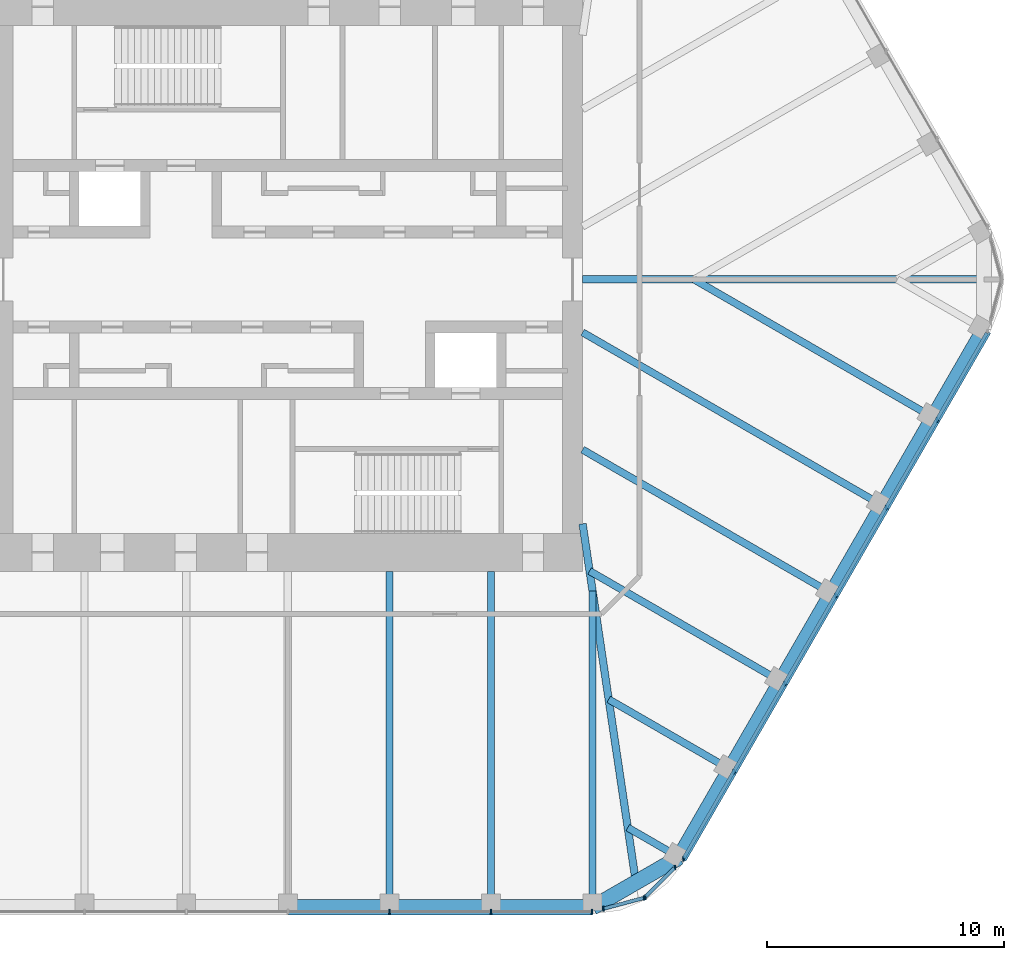
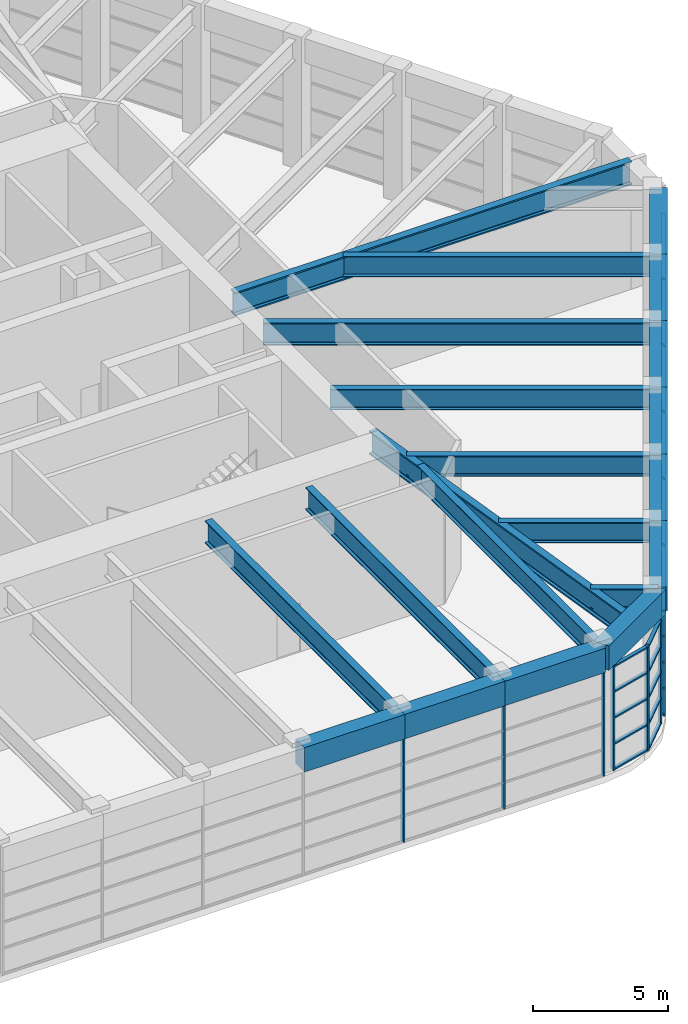
# One storey, part 5 of 16: 28 members, 21 beams, 4 elements without a shape of their own.
"""IFC4 building model written with IfcOpenShell, lengths in metres."""

from ifc_helpers import new_model, si_unit, direction, frame, origin, origin_2d, place, context, subcontext, project, spatial, rectangle, i_section, extrude, material, material_profile, profile_set, type_object, element, aggregate, save


model = new_model("IFC4")

# Units and contexts
model_context = context("Model", 3, precision=1e-05, world=origin(), true_north=direction((0.0, 1.0)))
body_context = subcontext(model_context, "Body", "Model", "MODEL_VIEW")
ifc_project = project(units=[si_unit("LENGTHUNIT", "METRE"), si_unit("AREAUNIT", "SQUARE_METRE"), si_unit("VOLUMEUNIT", "CUBIC_METRE"), si_unit("PLANEANGLEUNIT", "RADIAN"), si_unit("MASSUNIT", "GRAM", prefix="KILO")], contexts=[model_context])

# Site, building, storey
site_placement = place(None, origin())
site = spatial("IfcSite", under=ifc_project, at=site_placement, CompositionType="ELEMENT")
building_placement = place(site_placement, origin())
building = spatial("IfcBuilding", under=site, at=building_placement, Name="Tarfa Lantern Tower", CompositionType="ELEMENT")
storey_placement = place(building_placement, frame((0.0, 0.0, 396.300048828125)))
storey = spatial("IfcBuildingStorey", under=building, at=storey_placement, Name="L90", CompositionType="ELEMENT", Elevation=396.300048828125)

# Curtain wall, members
ifc_material_1 = material(Name="Aluminium framed curtain wall", Category="aluminium")
curtain_wall_type = type_object("IfcCurtainWallType", Name="CW8 LANTERN GLAZING 4700", PredefinedType="USERDEFINED", material=ifc_material_1)
curtain_wall_1_placement = place(storey_placement, origin())
curtain_wall_1 = element("IfcCurtainWall", 1, at=curtain_wall_1_placement, inside=storey, type_object=curtain_wall_type, Name="CW8 SSE1 L90", ObjectType="CURTAIN WALL", PredefinedType="USERDEFINED")
ifc_material_2 = material(Name="Aluminium mullion", Category="aluminium")
ifc_material_profile_1 = material_profile(ifc_material_2, rectangle(XDim=0.06494140625, YDim=0.199951171875, at=origin_2d()), Name="AL MULLION 65x200")
ifc_profile_set_1 = profile_set([ifc_material_profile_1], Name="Aluminium mullion")
member_type_1 = type_object("IfcMemberType", Name="CWM1 MULLION 65x200", PredefinedType="MULLION", material=ifc_profile_set_1)
member_1_placement = place(storey_placement, frame((13.30322265625, -26.527587890625, 0.0), z_axis=(0.0, 0.0, 1.0), x_axis=(1.0, 0.0, 0.0)))
member_1 = element("IfcMember", 2, at=member_1_placement, type_object=member_type_1, Name="CW8 mullion 1", PredefinedType="MULLION", context=body_context, shape_type="SweptSolid", body=[
    extrude(rectangle(XDim=0.06494140625, YDim=0.199951171875, at=origin_2d()), origin(), (0.0, 0.0, 1.0), 4.699951171875),
])
member_2_placement = place(storey_placement, frame((15.0146484375, -26.06884765625, 0.0), z_axis=(0.0, 0.0, 1.0), x_axis=(1.0, 0.0, 0.0)))
member_2 = element("IfcMember", 3, at=member_2_placement, type_object=member_type_1, Name="CW8 mullion 2", PredefinedType="MULLION", context=body_context, shape_type="SweptSolid", body=[
    extrude(rectangle(XDim=0.06494140625, YDim=0.199951171875, at=origin_2d()), origin(), (0.0, 0.0, 1.0), 4.699951171875),
])

curtain_wall_2_placement = place(storey_placement, origin())
curtain_wall_2 = element("IfcCurtainWall", 4, at=curtain_wall_2_placement, inside=storey, type_object=curtain_wall_type, Name="CW8 SSE2 L90", ObjectType="CURTAIN WALL", PredefinedType="USERDEFINED")
member_3_placement = place(storey_placement, frame((15.069091796875, -26.03759765625, 0.0), z_axis=(0.0, 0.0, 1.0), x_axis=(1.0, 0.0, 0.0)))
member_3 = element("IfcMember", 5, at=member_3_placement, type_object=member_type_1, Name="CW8 mullion 1", PredefinedType="MULLION", context=body_context, shape_type="SweptSolid", body=[
    extrude(rectangle(XDim=0.06494140625, YDim=0.199951171875, at=origin_2d()), origin(), (0.0, 0.0, 1.0), 4.699951171875),
])
member_4_placement = place(storey_placement, frame((16.32177734375, -24.78466796875, 0.0), z_axis=(0.0, 0.0, 1.0), x_axis=(1.0, 0.0, 0.0)))
member_4 = element("IfcMember", 6, at=member_4_placement, type_object=member_type_1, Name="CW8 mullion 2", PredefinedType="MULLION", context=body_context, shape_type="SweptSolid", body=[
    extrude(rectangle(XDim=0.06494140625, YDim=0.199951171875, at=origin_2d()), origin(), (0.0, 0.0, 1.0), 4.699951171875),
])

curtain_wall_3_placement = place(storey_placement, origin())
curtain_wall_3 = element("IfcCurtainWall", 7, at=curtain_wall_3_placement, inside=storey, type_object=curtain_wall_type, Name="CW8 S L90", ObjectType="CURTAIN WALL", PredefinedType="USERDEFINED")
member_5_placement = place(storey_placement, frame((4.281982421875, -26.64990234375, 0.0), z_axis=(0.0, 0.0, 1.0), x_axis=(1.0, 0.0, 0.0)))
member_5 = element("IfcMember", 8, at=member_5_placement, type_object=member_type_1, Name="CW8 mullion 5", PredefinedType="MULLION", context=body_context, shape_type="SweptSolid", body=[
    extrude(rectangle(XDim=0.06494140625, YDim=0.199951171875, at=origin_2d()), origin(), (0.0, 0.0, 1.0), 4.699951171875),
])
member_6_placement = place(storey_placement, frame((8.56396484375, -26.64990234375, 0.0), z_axis=(0.0, 0.0, 1.0), x_axis=(1.0, 0.0, 0.0)))
member_6 = element("IfcMember", 9, at=member_6_placement, type_object=member_type_1, Name="CW8 mullion 6", PredefinedType="MULLION", context=body_context, shape_type="SweptSolid", body=[
    extrude(rectangle(XDim=0.06494140625, YDim=0.199951171875, at=origin_2d()), origin(), (0.0, 0.0, 1.0), 4.699951171875),
])
member_7_placement = place(storey_placement, frame((12.8134765625, -26.64990234375, 0.0), z_axis=(0.0, 0.0, 1.0), x_axis=(1.0, 0.0, 0.0)))
member_7 = element("IfcMember", 10, at=member_7_placement, type_object=member_type_1, Name="CW8 mullion 7", PredefinedType="MULLION", context=body_context, shape_type="SweptSolid", body=[
    extrude(rectangle(XDim=0.06494140625, YDim=0.199951171875, at=origin_2d()), origin(), (0.0, 0.0, 1.0), 4.699951171875),
])
aggregate(curtain_wall_3, [member_5, member_6, member_7])

curtain_wall_4_placement = place(storey_placement, origin())
curtain_wall_4 = element("IfcCurtainWall", 11, at=curtain_wall_4_placement, inside=storey, type_object=curtain_wall_type, Name="CW8 SE L90", ObjectType="CURTAIN WALL", PredefinedType="USERDEFINED")
member_8_placement = place(storey_placement, frame((16.6728515625, -24.421875, 0.0), z_axis=(0.0, 0.0, 1.0), x_axis=(1.0, 0.0, 0.0)))
member_8 = element("IfcMember", 12, at=member_8_placement, type_object=member_type_1, Name="CW8 mullion 1", PredefinedType="MULLION", context=body_context, shape_type="SweptSolid", body=[
    extrude(rectangle(XDim=0.06494140625, YDim=0.199951171875, at=origin_2d()), origin(), (0.0, 0.0, 1.0), 4.699951171875),
])
member_9_placement = place(storey_placement, frame((18.797607421875, -20.74169921875, 0.0), z_axis=(0.0, 0.0, 1.0), x_axis=(1.0, 0.0, 0.0)))
member_9 = element("IfcMember", 13, at=member_9_placement, type_object=member_type_1, Name="CW8 mullion 2", PredefinedType="MULLION", context=body_context, shape_type="SweptSolid", body=[
    extrude(rectangle(XDim=0.06494140625, YDim=0.199951171875, at=origin_2d()), origin(), (0.0, 0.0, 1.0), 4.699951171875),
])
member_10_placement = place(storey_placement, frame((20.9384765625, -17.033447265625, 0.0), z_axis=(0.0, 0.0, 1.0), x_axis=(1.0, 0.0, 0.0)))
member_10 = element("IfcMember", 14, at=member_10_placement, type_object=member_type_1, Name="CW8 mullion 3", PredefinedType="MULLION", context=body_context, shape_type="SweptSolid", body=[
    extrude(rectangle(XDim=0.06494140625, YDim=0.199951171875, at=origin_2d()), origin(), (0.0, 0.0, 1.0), 4.699951171875),
])
member_11_placement = place(storey_placement, frame((23.07958984375, -13.324951171875, 0.0), z_axis=(0.0, 0.0, 1.0), x_axis=(1.0, 0.0, 0.0)))
member_11 = element("IfcMember", 15, at=member_11_placement, type_object=member_type_1, Name="CW8 mullion 4", PredefinedType="MULLION", context=body_context, shape_type="SweptSolid", body=[
    extrude(rectangle(XDim=0.06494140625, YDim=0.199951171875, at=origin_2d()), origin(), (0.0, 0.0, 1.0), 4.699951171875),
])
member_12_placement = place(storey_placement, frame((25.220703125, -9.61669921875, 0.0), z_axis=(0.0, 0.0, 1.0), x_axis=(1.0, 0.0, 0.0)))
member_12 = element("IfcMember", 16, at=member_12_placement, type_object=member_type_1, Name="CW8 mullion 5", PredefinedType="MULLION", context=body_context, shape_type="SweptSolid", body=[
    extrude(rectangle(XDim=0.06494140625, YDim=0.199951171875, at=origin_2d()), origin(), (0.0, 0.0, 1.0), 4.699951171875),
])
member_13_placement = place(storey_placement, frame((27.361572265625, -5.908447265625, 0.0), z_axis=(0.0, 0.0, 1.0), x_axis=(1.0, 0.0, 0.0)))
member_13 = element("IfcMember", 17, at=member_13_placement, type_object=member_type_1, Name="CW8 mullion 6", PredefinedType="MULLION", context=body_context, shape_type="SweptSolid", body=[
    extrude(rectangle(XDim=0.06494140625, YDim=0.199951171875, at=origin_2d()), origin(), (0.0, 0.0, 1.0), 4.699951171875),
])

# Member
ifc_material_3 = material(Name="Aluminium transom", Category="aluminium")
ifc_material_profile_2 = material_profile(ifc_material_3, rectangle(XDim=0.14990234375, YDim=0.06494140625, at=origin_2d()), Name="AL TRANSOM 150x65")
ifc_profile_set_2 = profile_set([ifc_material_profile_2], Name="Aluminium transom")
member_type_2 = type_object("IfcMemberType", Name="CWT1 TRANSOM 150x65", PredefinedType="USERDEFINED", material=ifc_profile_set_2)
member_14_placement = place(storey_placement, frame((13.334716796875, -26.51904296875, 0.032470703125), z_axis=(0.965932726646, 0.258793291247, 0.0), x_axis=(-0.258793291247, 0.965932726646, 0.0)))
member_14 = element("IfcMember", 18, at=member_14_placement, type_object=member_type_2, Name="CW8 transom 1.1", ObjectType="TRANSOM", PredefinedType="USERDEFINED", context=body_context, shape_type="SweptSolid", body=[
    extrude(rectangle(XDim=0.14990234375, YDim=0.06494140625, at=origin_2d()), origin(), (0.0, 0.0, 1.0), 1.70654296875),
])

member_15_placement = place(storey_placement, frame((13.334716796875, -26.51904296875, 1.175048828125), z_axis=(0.965932726646, 0.258793291247, 0.0), x_axis=(-0.258793291247, 0.965932726646, 0.0)))
member_15 = element("IfcMember", 19, at=member_15_placement, type_object=member_type_2, Name="CW8 transom 1.2", ObjectType="TRANSOM", PredefinedType="USERDEFINED", context=body_context, shape_type="SweptSolid", body=[
    extrude(rectangle(XDim=0.14990234375, YDim=0.06494140625, at=origin_2d()), origin(), (0.0, 0.0, 1.0), 1.70654296875),
])

member_16_placement = place(storey_placement, frame((13.334716796875, -26.51904296875, 2.349853515625), z_axis=(0.965932726646, 0.258793291247, 0.0), x_axis=(-0.258793291247, 0.965932726646, 0.0)))
member_16 = element("IfcMember", 20, at=member_16_placement, type_object=member_type_2, Name="CW8 transom 1.3", ObjectType="TRANSOM", PredefinedType="USERDEFINED", context=body_context, shape_type="SweptSolid", body=[
    extrude(rectangle(XDim=0.14990234375, YDim=0.06494140625, at=origin_2d()), origin(), (0.0, 0.0, 1.0), 1.70654296875),
])

member_17_placement = place(storey_placement, frame((13.334716796875, -26.51904296875, 3.52490234375), z_axis=(0.965932726646, 0.258793291247, 0.0), x_axis=(-0.258793291247, 0.965932726646, 0.0)))
member_17 = element("IfcMember", 21, at=member_17_placement, type_object=member_type_2, Name="CW8 transom 1.4", ObjectType="TRANSOM", PredefinedType="USERDEFINED", context=body_context, shape_type="SweptSolid", body=[
    extrude(rectangle(XDim=0.14990234375, YDim=0.06494140625, at=origin_2d()), origin(), (0.0, 0.0, 1.0), 1.70654296875),
])

member_18_placement = place(storey_placement, frame((13.334716796875, -26.51904296875, 4.66748046875), z_axis=(0.965932726646, 0.258793291247, 0.0), x_axis=(-0.258793291247, 0.965932726646, 0.0)))
member_18 = element("IfcMember", 22, at=member_18_placement, type_object=member_type_2, Name="CW8 transom 1.5", ObjectType="TRANSOM", PredefinedType="USERDEFINED", context=body_context, shape_type="SweptSolid", body=[
    extrude(rectangle(XDim=0.14990234375, YDim=0.06494140625, at=origin_2d()), origin(), (0.0, 0.0, 1.0), 1.70654296875),
])

aggregate(curtain_wall_1, [member_1, member_2, member_14, member_15, member_16, member_17, member_18])

member_19_placement = place(storey_placement, frame((15.092041015625, -26.0146484375, 0.032470703125), z_axis=(0.707035258729, 0.70717829641, 0.0), x_axis=(-0.70717829641, 0.707035258729, 0.0)))
member_19 = element("IfcMember", 23, at=member_19_placement, type_object=member_type_2, Name="CW8 transom 1.1", ObjectType="TRANSOM", PredefinedType="USERDEFINED", context=body_context, shape_type="SweptSolid", body=[
    extrude(rectangle(XDim=0.14990234375, YDim=0.06494140625, at=origin_2d()), origin(), (0.0, 0.0, 1.0), 1.706787109375),
])

member_20_placement = place(storey_placement, frame((15.092041015625, -26.0146484375, 1.175048828125), z_axis=(0.707035258729, 0.70717829641, 0.0), x_axis=(-0.70717829641, 0.707035258729, 0.0)))
member_20 = element("IfcMember", 24, at=member_20_placement, type_object=member_type_2, Name="CW8 transom 1.2", ObjectType="TRANSOM", PredefinedType="USERDEFINED", context=body_context, shape_type="SweptSolid", body=[
    extrude(rectangle(XDim=0.14990234375, YDim=0.06494140625, at=origin_2d()), origin(), (0.0, 0.0, 1.0), 1.706787109375),
])

member_21_placement = place(storey_placement, frame((15.092041015625, -26.0146484375, 2.349853515625), z_axis=(0.707035258729, 0.70717829641, 0.0), x_axis=(-0.70717829641, 0.707035258729, 0.0)))
member_21 = element("IfcMember", 25, at=member_21_placement, type_object=member_type_2, Name="CW8 transom 1.3", ObjectType="TRANSOM", PredefinedType="USERDEFINED", context=body_context, shape_type="SweptSolid", body=[
    extrude(rectangle(XDim=0.14990234375, YDim=0.06494140625, at=origin_2d()), origin(), (0.0, 0.0, 1.0), 1.706787109375),
])

member_22_placement = place(storey_placement, frame((15.092041015625, -26.0146484375, 3.52490234375), z_axis=(0.707035258729, 0.70717829641, 0.0), x_axis=(-0.70717829641, 0.707035258729, 0.0)))
member_22 = element("IfcMember", 26, at=member_22_placement, type_object=member_type_2, Name="CW8 transom 1.4", ObjectType="TRANSOM", PredefinedType="USERDEFINED", context=body_context, shape_type="SweptSolid", body=[
    extrude(rectangle(XDim=0.14990234375, YDim=0.06494140625, at=origin_2d()), origin(), (0.0, 0.0, 1.0), 1.706787109375),
])

member_23_placement = place(storey_placement, frame((15.092041015625, -26.0146484375, 4.66748046875), z_axis=(0.707035258729, 0.70717829641, 0.0), x_axis=(-0.70717829641, 0.707035258729, 0.0)))
member_23 = element("IfcMember", 27, at=member_23_placement, type_object=member_type_2, Name="CW8 transom 1.5", ObjectType="TRANSOM", PredefinedType="USERDEFINED", context=body_context, shape_type="SweptSolid", body=[
    extrude(rectangle(XDim=0.14990234375, YDim=0.06494140625, at=origin_2d()), origin(), (0.0, 0.0, 1.0), 1.706787109375),
])

aggregate(curtain_wall_2, [member_3, member_4, member_19, member_20, member_21, member_22, member_23])

member_24_placement = place(storey_placement, frame((16.68896484375, -24.393798828125, 0.032470703125), z_axis=(0.500005475065, 0.866022242731, 0.0), x_axis=(-0.866022242731, 0.500005475065, 0.0)))
member_24 = element("IfcMember", 28, at=member_24_placement, type_object=member_type_2, Name="CW8 transom 1.1", ObjectType="TRANSOM", PredefinedType="USERDEFINED", context=body_context, shape_type="SweptSolid", body=[
    extrude(rectangle(XDim=0.14990234375, YDim=0.06494140625, at=origin_2d()), origin(), (0.0, 0.0, 1.0), 25.562255859375),
])

member_25_placement = place(storey_placement, frame((16.68896484375, -24.393798828125, 1.175048828125), z_axis=(0.500005475065, 0.866022242731, 0.0), x_axis=(-0.866022242731, 0.500005475065, 0.0)))
member_25 = element("IfcMember", 29, at=member_25_placement, type_object=member_type_2, Name="CW8 transom 1.2", ObjectType="TRANSOM", PredefinedType="USERDEFINED", context=body_context, shape_type="SweptSolid", body=[
    extrude(rectangle(XDim=0.14990234375, YDim=0.06494140625, at=origin_2d()), origin(), (0.0, 0.0, 1.0), 25.562255859375),
])

member_26_placement = place(storey_placement, frame((16.68896484375, -24.393798828125, 2.349853515625), z_axis=(0.500005475065, 0.866022242731, 0.0), x_axis=(-0.866022242731, 0.500005475065, 0.0)))
member_26 = element("IfcMember", 30, at=member_26_placement, type_object=member_type_2, Name="CW8 transom 1.3", ObjectType="TRANSOM", PredefinedType="USERDEFINED", context=body_context, shape_type="SweptSolid", body=[
    extrude(rectangle(XDim=0.14990234375, YDim=0.06494140625, at=origin_2d()), origin(), (0.0, 0.0, 1.0), 25.562255859375),
])

member_27_placement = place(storey_placement, frame((16.68896484375, -24.393798828125, 3.52490234375), z_axis=(0.500005475065, 0.866022242731, 0.0), x_axis=(-0.866022242731, 0.500005475065, 0.0)))
member_27 = element("IfcMember", 31, at=member_27_placement, type_object=member_type_2, Name="CW8 transom 1.4", ObjectType="TRANSOM", PredefinedType="USERDEFINED", context=body_context, shape_type="SweptSolid", body=[
    extrude(rectangle(XDim=0.14990234375, YDim=0.06494140625, at=origin_2d()), origin(), (0.0, 0.0, 1.0), 25.562255859375),
])

member_28_placement = place(storey_placement, frame((16.68896484375, -24.393798828125, 4.66748046875), z_axis=(0.500005475065, 0.866022242731, 0.0), x_axis=(-0.866022242731, 0.500005475065, 0.0)))
member_28 = element("IfcMember", 32, at=member_28_placement, type_object=member_type_2, Name="CW8 transom 1.5", ObjectType="TRANSOM", PredefinedType="USERDEFINED", context=body_context, shape_type="SweptSolid", body=[
    extrude(rectangle(XDim=0.14990234375, YDim=0.06494140625, at=origin_2d()), origin(), (0.0, 0.0, 1.0), 25.562255859375),
])

aggregate(curtain_wall_4, [member_8, member_9, member_10, member_11, member_12, member_13, member_24, member_25, member_26, member_27, member_28])

# Beams
ifc_material_4 = material(Name="Concrete C80/95", Category="concrete")
ifc_material_profile_3 = material_profile(ifc_material_4, rectangle(XDim=0.64990234375, YDim=1.10009765625, at=origin_2d()), Name="RC 650x1100")
ifc_profile_set_3 = profile_set([ifc_material_profile_3], Name="Concrete C80/95")
beam_type_1 = type_object("IfcBeamType", Name="EB4 RC 650x1100", PredefinedType="SPANDREL", material=ifc_profile_set_3)
for number, where, z_axis, x_axis, name in (
    (33, (0.0, -26.469970703125, 5.25), (1.0, 0.0, 0.0), (0.0, 1.0, 0.0), "Edge beam S3"),
    (34, (4.281982421875, -26.469970703125, 5.25), (1.0, 0.0, 0.0), (0.0, 1.0, 0.0), "Edge beam S4"),
    (35, (8.56396484375, -26.469970703125, 5.25), (1.0, 0.0, 0.0), (0.0, 1.0, 0.0), "Edge beam S5"),
):
    element("IfcBeam", number, at=place(storey_placement, frame(where, z_axis=z_axis, x_axis=x_axis)), inside=storey, type_object=beam_type_1, Name=name, PredefinedType="SPANDREL", context=body_context, shape_type="SweptSolid", body=[
        extrude(rectangle(XDim=0.64990234375, YDim=1.10009765625, at=origin_2d()), origin(), (0.0, 0.0, 1.0), 4.281982421875),
    ])
beam_1_placement = place(storey_placement, frame((12.845947265625, -26.469970703125, 5.25), z_axis=(0.866048788483, 0.499959494327, 0.0), x_axis=(-0.499959494327, 0.866048788483, 0.0)))
element("IfcBeam", 36, at=beam_1_placement, inside=storey, type_object=beam_type_1, Name="Edge beam S6", PredefinedType="SPANDREL", context=body_context, shape_type="SweptSolid", body=[
    extrude(rectangle(XDim=0.64990234375, YDim=1.10009765625, at=origin_2d()), origin(), (0.0, 0.0, 1.0), 4.219970703125),
])
for number, where, z_axis, x_axis, name in (
    (37, (16.500732421875, -24.360107421875, 5.25), (0.499959351497, 0.866048870937, 0.0), (-0.866048870937, 0.499959351497, 0.0), "Edge beam SE0"),
    (38, (18.6416015625, -20.651611328125, 5.25), (0.500026801138, 0.866009929587, 0.0), (-0.866009929587, 0.500026801138, 0.0), "Edge beam SE1"),
    (39, (20.78271484375, -16.943359375, 5.25), (0.499984039138, 0.866034618596, 0.0), (-0.866034618596, 0.499984039138, 0.0), "Edge beam SE2"),
):
    element("IfcBeam", number, at=place(storey_placement, frame(where, z_axis=z_axis, x_axis=x_axis)), inside=storey, type_object=beam_type_1, Name=name, PredefinedType="SPANDREL", context=body_context, shape_type="SweptSolid", body=[
        extrude(rectangle(XDim=0.64990234375, YDim=1.10009765625, at=origin_2d()), origin(), (0.0, 0.0, 1.0), 4.281982421875),
    ])
beam_2_placement = place(storey_placement, frame((22.923583984375, -13.235107421875, 5.25), z_axis=(0.500002112793, 0.866024183959, 0.0), x_axis=(-0.866024183959, 0.500002112793, 0.0)))
element("IfcBeam", 40, at=beam_2_placement, inside=storey, type_object=beam_type_1, Name="Edge beam SE3", PredefinedType="SPANDREL", context=body_context, shape_type="SweptSolid", body=[
    extrude(rectangle(XDim=0.64990234375, YDim=1.10009765625, at=origin_2d()), origin(), (0.0, 0.0, 1.0), 4.2822265625),
])
for number, where, z_axis, x_axis, name in (
    (41, (25.064697265625, -9.526611328125, 5.25), (0.500026801138, 0.866009929587, 0.0), (-0.866009929587, 0.500026801138, 0.0), "Edge beam SE4"),
    (42, (27.205810546875, -5.818359375, 5.25), (0.499984039138, 0.866034618596, 0.0), (-0.866034618596, 0.499984039138, 0.0), "Edge beam SE5"),
):
    element("IfcBeam", number, at=place(storey_placement, frame(where, z_axis=z_axis, x_axis=x_axis)), inside=storey, type_object=beam_type_1, Name=name, PredefinedType="SPANDREL", context=body_context, shape_type="SweptSolid", body=[
        extrude(rectangle(XDim=0.64990234375, YDim=1.10009765625, at=origin_2d()), origin(), (0.0, 0.0, 1.0), 4.281982421875),
    ])
ifc_material_5 = material(Name="Steel S460M", Category="steel")
ifc_material_profile_4 = material_profile(ifc_material_5, i_section(OverallWidth=0.302001953125, OverallDepth=1.008056640625, WebThickness=0.02099609375, FlangeThickness=0.0400390625, FilletRadius=0.030029296875, at=origin_2d()), Name="UB1016x305x349")
ifc_profile_set_4 = profile_set([ifc_material_profile_4], Name="Steel S460M")
beam_type_2 = type_object("IfcBeamType", Name="UB1016x305x349", PredefinedType="BEAM", material=ifc_profile_set_4)
for number, where, z_axis, x_axis, name in (
    (43, (4.281982421875, -26.469970703125, 5.2958984375), (0.0, 1.0, 0.0), (-1.0, 0.0, 0.0), "Floor beam S4"),
    (44, (8.56396484375, -26.469970703125, 5.2958984375), (0.0, 1.0, 0.0), (-1.0, 0.0, 0.0), "Floor beam S5"),
):
    element("IfcBeam", number, at=place(storey_placement, frame(where, z_axis=z_axis, x_axis=x_axis)), inside=storey, type_object=beam_type_2, Name=name, PredefinedType="BEAM", context=body_context, shape_type="SweptSolid", body=[
        extrude(i_section(OverallWidth=0.302001953125, OverallDepth=1.008056640625, WebThickness=0.02099609375, FlangeThickness=0.0400390625, FilletRadius=0.030029296875, at=origin_2d()), origin(), (0.0, 0.0, 1.0), 14.169921875),
    ])
beam_3_placement = place(storey_placement, frame((25.064697265625, -9.526611328125, 5.2958984375), z_axis=(-0.866029591389, 0.499992746786, 0.0), x_axis=(-0.499992746786, -0.866029591389, 0.0)))
element("IfcBeam", 45, at=beam_3_placement, inside=storey, type_object=beam_type_2, Name="Floor beam SE4", PredefinedType="BEAM", context=body_context, shape_type="SweptSolid", body=[
    extrude(i_section(OverallWidth=0.302001953125, OverallDepth=1.008056640625, WebThickness=0.02099609375, FlangeThickness=0.0400390625, FilletRadius=0.030029296875, at=origin_2d()), origin(), (0.0, 0.0, 1.0), 14.594970703125),
])
ifc_material_profile_5 = material_profile(ifc_material_5, i_section(OverallWidth=0.314208984375, OverallDepth=1.055908203125, WebThickness=0.035888671875, FlangeThickness=0.06396484375, FilletRadius=0.030029296875, at=origin_2d()), Name="UB1016x305x584")
ifc_profile_set_5 = profile_set([ifc_material_profile_5], Name="Steel S460M")
beam_type_3 = type_object("IfcBeamType", Name="UB1016x305x584", PredefinedType="BEAM", material=ifc_profile_set_5)
beam_4_placement = place(storey_placement, frame((12.425048828125, 0.0, 5.27197265625), z_axis=(1.0, 0.0, 0.0), x_axis=(0.0, 1.0, 0.0)))
element("IfcBeam", 46, at=beam_4_placement, inside=storey, type_object=beam_type_3, Name="Hip girder E", PredefinedType="BEAM", context=body_context, shape_type="SweptSolid", body=[
    extrude(i_section(OverallWidth=0.314208984375, OverallDepth=1.055908203125, WebThickness=0.035888671875, FlangeThickness=0.06396484375, FilletRadius=0.030029296875, at=origin_2d()), origin(), (0.0, 0.0, 1.0), 16.921630859375),
])
beam_5_placement = place(storey_placement, frame((12.425048828125, -10.300048828125, 5.27197265625), z_axis=(0.147127069073, -0.989117599452, 0.0), x_axis=(0.989117599452, 0.147127069073, 0.0)))
element("IfcBeam", 47, at=beam_5_placement, inside=storey, type_object=beam_type_3, Name="Hip girder SE", PredefinedType="BEAM", context=body_context, shape_type="SweptSolid", body=[
    extrude(i_section(OverallWidth=0.314208984375, OverallDepth=1.055908203125, WebThickness=0.035888671875, FlangeThickness=0.06396484375, FilletRadius=0.030029296875, at=origin_2d()), origin(), (0.0, 0.0, 1.0), 15.28125),
])
ifc_material_profile_6 = material_profile(ifc_material_5, i_section(OverallWidth=0.305419921875, OverallDepth=0.91845703125, WebThickness=0.017333984375, FlangeThickness=0.02783203125, FilletRadius=0.01904296875, at=origin_2d()), Name="UB914x305x253")
ifc_profile_set_6 = profile_set([ifc_material_profile_6], Name="Steel S460M")
beam_type_4 = type_object("IfcBeamType", Name="UB914x305x253", PredefinedType="BEAM", material=ifc_profile_set_6)
beam_6_placement = place(storey_placement, frame((12.845947265625, -26.469970703125, 5.3408203125), z_axis=(0.0, 1.0, 0.0), x_axis=(-1.0, 0.0, 0.0)))
element("IfcBeam", 48, at=beam_6_placement, inside=storey, type_object=beam_type_4, Name="Floor beam S6", PredefinedType="BEAM", context=body_context, shape_type="SweptSolid", body=[
    extrude(i_section(OverallWidth=0.305419921875, OverallDepth=0.91845703125, WebThickness=0.017333984375, FlangeThickness=0.02783203125, FilletRadius=0.01904296875, at=origin_2d()), origin(), (0.0, 0.0, 1.0), 13.33935546875),
])
beam_7_placement = place(storey_placement, frame((16.500732421875, -24.360107421875, 5.3408203125), z_axis=(-0.865992557167, 0.500056887695, 0.0), x_axis=(-0.500056887695, -0.865992557167, 0.0)))
element("IfcBeam", 49, at=beam_7_placement, inside=storey, type_object=beam_type_4, Name="Floor beam SE0", PredefinedType="BEAM", context=body_context, shape_type="SweptSolid", body=[
    extrude(i_section(OverallWidth=0.305419921875, OverallDepth=0.91845703125, WebThickness=0.017333984375, FlangeThickness=0.02783203125, FilletRadius=0.01904296875, at=origin_2d()), origin(), (0.0, 0.0, 1.0), 2.506591796875),
])
beam_8_placement = place(storey_placement, frame((18.6416015625, -20.651611328125, 5.3408203125), z_axis=(-0.866024549157, 0.500001480256, 0.0), x_axis=(-0.500001480256, -0.866024549157, 0.0)))
element("IfcBeam", 50, at=beam_8_placement, inside=storey, type_object=beam_type_4, Name="Floor beam SE1", PredefinedType="BEAM", context=body_context, shape_type="SweptSolid", body=[
    extrude(i_section(OverallWidth=0.305419921875, OverallDepth=0.91845703125, WebThickness=0.017333984375, FlangeThickness=0.02783203125, FilletRadius=0.01904296875, at=origin_2d()), origin(), (0.0, 0.0, 1.0), 5.90771484375),
])
beam_9_placement = place(storey_placement, frame((20.78271484375, -16.943359375, 5.3408203125), z_axis=(-0.866021806508, 0.500006230613, 0.0), x_axis=(-0.500006230613, -0.866021806508, 0.0)))
element("IfcBeam", 51, at=beam_9_placement, inside=storey, type_object=beam_type_4, Name="Floor beam SE2", PredefinedType="BEAM", context=body_context, shape_type="SweptSolid", body=[
    extrude(i_section(OverallWidth=0.305419921875, OverallDepth=0.91845703125, WebThickness=0.017333984375, FlangeThickness=0.02783203125, FilletRadius=0.01904296875, at=origin_2d()), origin(), (0.0, 0.0, 1.0), 9.30908203125),
])
beam_10_placement = place(storey_placement, frame((22.923583984375, -13.235107421875, 5.3408203125), z_axis=(-0.86601856927, 0.500011837539, 0.0), x_axis=(-0.500011837539, -0.86601856927, 0.0)))
element("IfcBeam", 52, at=beam_10_placement, inside=storey, type_object=beam_type_4, Name="Floor beam SE3", PredefinedType="BEAM", context=body_context, shape_type="SweptSolid", body=[
    extrude(i_section(OverallWidth=0.305419921875, OverallDepth=0.91845703125, WebThickness=0.017333984375, FlangeThickness=0.02783203125, FilletRadius=0.01904296875, at=origin_2d()), origin(), (0.0, 0.0, 1.0), 12.122802734375),
])
beam_11_placement = place(storey_placement, frame((27.205810546875, -5.818359375, 5.3408203125), z_axis=(-0.866024171998, 0.500002133511, 0.0), x_axis=(-0.500002133511, -0.866024171998, 0.0)))
element("IfcBeam", 53, at=beam_11_placement, inside=storey, type_object=beam_type_4, Name="Floor beam SE5", PredefinedType="BEAM", context=body_context, shape_type="SweptSolid", body=[
    extrude(i_section(OverallWidth=0.305419921875, OverallDepth=0.91845703125, WebThickness=0.017333984375, FlangeThickness=0.02783203125, FilletRadius=0.01904296875, at=origin_2d()), origin(), (0.0, 0.0, 1.0), 11.63671875),
])

save(model, "model.ifc")
